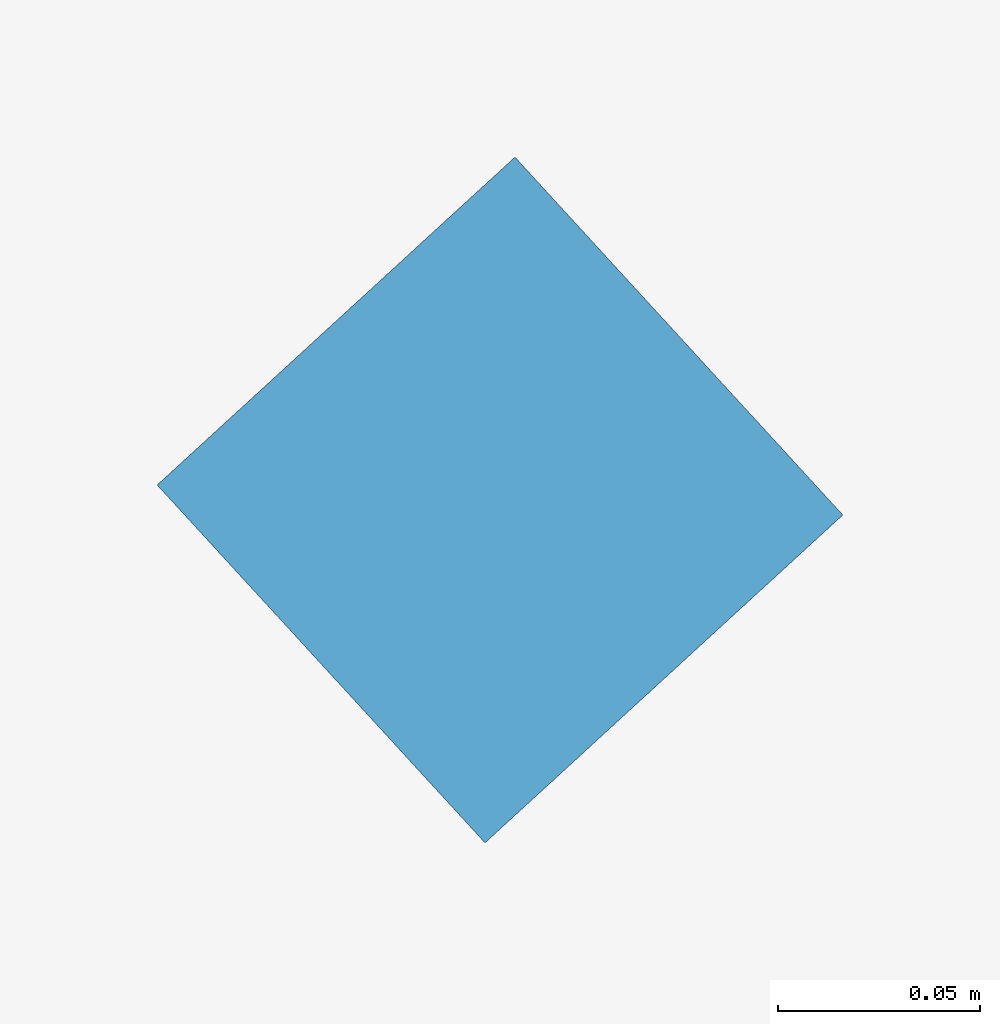
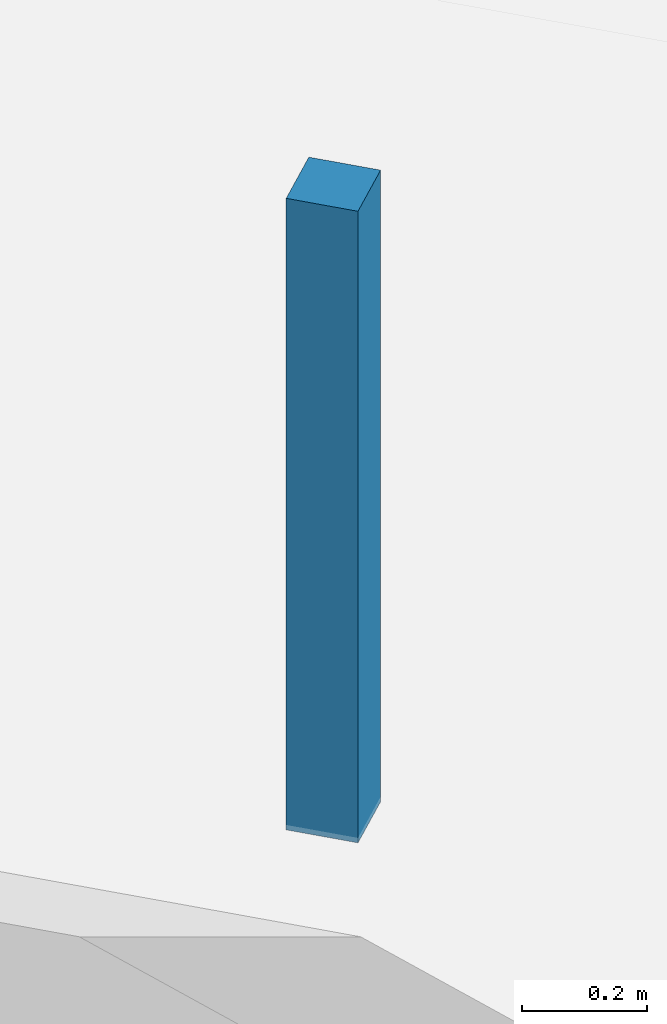
# One storey, part 15 of 18: 1 discrete accessory.
"""IFC4 building model written with IfcOpenShell, lengths in metres."""

from ifc_helpers import new_model, si_unit, direction, frame, origin, origin_2d, place, context, subcontext, project, spatial, rectangle, extrude, source, transform, mapped, material, type_object, element, save


model = new_model("IFC4")

# Units and contexts
model_context = context("Model", 3, precision=1e-05, world=origin(), true_north=direction((0.0, 1.0)))
body_context = subcontext(model_context, "Body", "Model", "MODEL_VIEW")
ifc_project = project(units=[si_unit("LENGTHUNIT", "METRE"), si_unit("AREAUNIT", "SQUARE_METRE"), si_unit("VOLUMEUNIT", "CUBIC_METRE"), si_unit("PLANEANGLEUNIT", "RADIAN"), si_unit("MASSUNIT", "GRAM", prefix="KILO")], contexts=[model_context])

# Site, building, storey
site_placement = place(None, origin())
site = spatial("IfcSite", under=ifc_project, at=site_placement, CompositionType="ELEMENT")
building_placement = place(site_placement, origin())
building = spatial("IfcBuilding", under=site, at=building_placement, Name="Torre Montelarca", CompositionType="ELEMENT")
storey_placement = place(building_placement, frame((0.0, 0.0, 258.39990234375)))
storey = spatial("IfcBuildingStorey", under=building, at=storey_placement, Name="L58", CompositionType="ELEMENT", Elevation=258.39990234375)

# Discrete accessory
ifc_material = material(Name="Galvanized steel suspension hanger", Category="steel")
discrete_accessory_type = type_object("IfcDiscreteAccessoryType", Name="ACC-CEIL-HNG", PredefinedType="BRACKET", material=ifc_material)
shared_shape = source(origin(), body_context, "Body", "SweptSolid", [
    extrude(rectangle(XDim=0.1201171875, YDim=0.1201171875, at=origin_2d()), origin(), (0.0, 0.0, 1.0), 1.22998046875),
])
discrete_accessory_placement = place(storey_placement, frame((31.837646484375, 27.231201171875, 2.75), z_axis=(0.0, 0.0, 1.0), x_axis=(-0.675590207616, 0.73727733681, 0.0)))
element("IfcDiscreteAccessory", 1, at=discrete_accessory_placement, inside=storey, type_object=discrete_accessory_type, Name="L58 Suspended Ceiling Hanger Bracket 01", PredefinedType="BRACKET", context=body_context, shape_type="MappedRepresentation", body=[
    mapped(shared_shape, transform((0.0, 0.0, 0.0), scale=1.0)),
])

save(model, "model.ifc")
